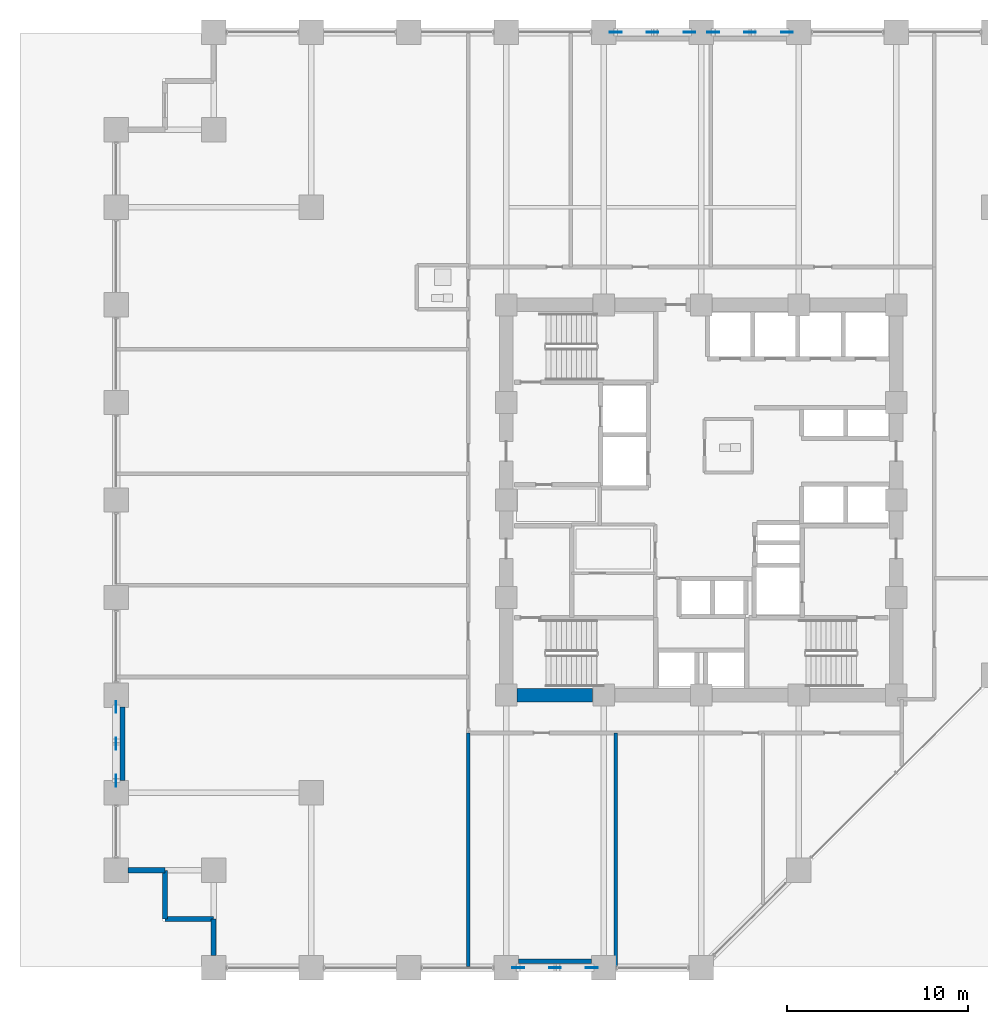
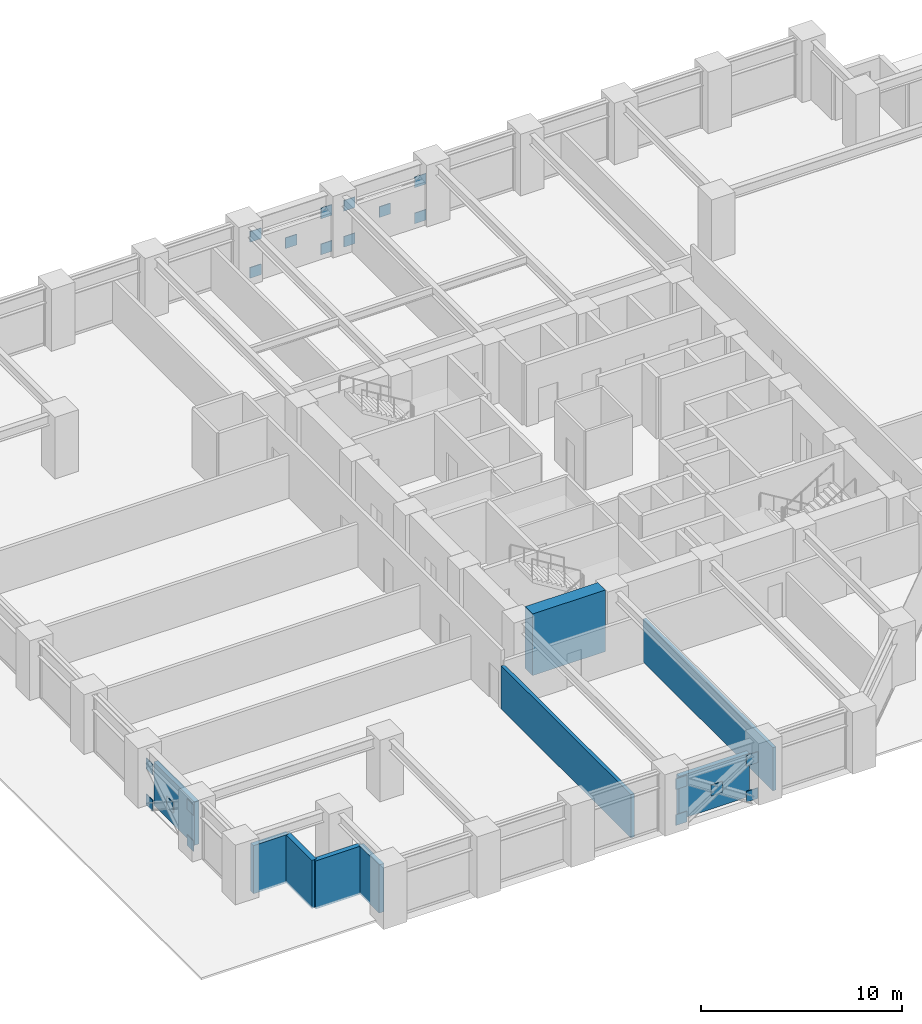
# One storey, part 19 of 27: 20 plates, 9 walls.
"""IFC4 building model written with IfcOpenShell, lengths in metres."""

from ifc_helpers import new_model, si_unit, direction, frame, frame_2d, origin, origin_2d, place, context, subcontext, project, spatial, rectangle, extrude, material, layer, layer_set, type_object, element, save


model = new_model("IFC4")

# Units and contexts
model_context = context("Model", 3, precision=1e-05, world=origin(), true_north=direction((0.0, 1.0)))
body_context = subcontext(model_context, "Body", "Model", "MODEL_VIEW")
ifc_project = project(units=[si_unit("LENGTHUNIT", "METRE"), si_unit("AREAUNIT", "SQUARE_METRE"), si_unit("VOLUMEUNIT", "CUBIC_METRE"), si_unit("PLANEANGLEUNIT", "RADIAN"), si_unit("MASSUNIT", "GRAM", prefix="KILO")], contexts=[model_context])

# Site, building, storey
site_placement = place(None, origin())
site = spatial("IfcSite", under=ifc_project, at=site_placement, CompositionType="ELEMENT")
building_placement = place(site_placement, origin())
building = spatial("IfcBuilding", under=site, at=building_placement, Name="Surkhivell Harbour Commons", CompositionType="ELEMENT")
storey_placement = place(building_placement, frame((0.0, 0.0, 22.5)))
storey = spatial("IfcBuildingStorey", under=building, at=storey_placement, Name="L05", CompositionType="ELEMENT", Elevation=22.5)

# Plates
ifc_material_1 = material(Name="Steel S460", Category="steel")
ifc_layer_1 = layer(ifc_material_1, 0.044921875)
ifc_layer_set_1 = layer_set([ifc_layer_1], Name="Steel S460")
plate_type = type_object("IfcPlateType", Name="PLT-GUS-650", PredefinedType="USERDEFINED", material=ifc_layer_set_1)
for number, where, z_axis, x_axis, name in (
    (1, (-4.739990234375, 25.89990234375, -0.08935546875), (0.0, 0.0, 1.0), (1.0, 0.0, 0.0), "L05 Perimeter Mega-Brace MB- Corner Gusset N-1"),
    (2, (-0.659912109375, 25.89990234375, -0.08935546875), (0.0, 0.0, 1.0), (1.0, 0.0, 0.0), "L05 Perimeter Mega-Brace MB- Corner Gusset N-2"),
    (3, (-4.739990234375, 25.89990234375, 2.1005859375), (0.0, 0.0, 1.0), (1.0, 0.0, 0.0), "L05 Perimeter Mega-Brace MB- Corner Gusset N-3"),
    (4, (-0.659912109375, 25.89990234375, 2.1005859375), (0.0, 0.0, 1.0), (1.0, 0.0, 0.0), "L05 Perimeter Mega-Brace MB- Corner Gusset N-4"),
    (5, (-2.699951171875, 25.89990234375, 1.005615234375), (0.0, 0.0, 1.0), (1.0, 0.0, 0.0), "L05 Perimeter Mega-Brace MB- Central Crossing Gusset N"),
    (6, (0.659912109375, 25.89990234375, -0.08935546875), (0.0, 0.0, 1.0), (1.0, 0.0, 0.0), "L05 Perimeter Mega-Brace MB- Corner Gusset N2-1"),
    (7, (4.739990234375, 25.89990234375, -0.08935546875), (0.0, 0.0, 1.0), (1.0, 0.0, 0.0), "L05 Perimeter Mega-Brace MB- Corner Gusset N2-2"),
    (8, (0.659912109375, 25.89990234375, 2.1005859375), (0.0, 0.0, 1.0), (1.0, 0.0, 0.0), "L05 Perimeter Mega-Brace MB- Corner Gusset N2-3"),
    (9, (4.739990234375, 25.89990234375, 2.1005859375), (0.0, 0.0, 1.0), (1.0, 0.0, 0.0), "L05 Perimeter Mega-Brace MB- Corner Gusset N2-4"),
    (10, (2.699951171875, 25.89990234375, 1.005615234375), (0.0, 0.0, 1.0), (1.0, 0.0, 0.0), "L05 Perimeter Mega-Brace MB- Central Crossing Gusset N2"),
    (11, (-10.139892578125, -25.89990234375, -0.08935546875), (0.0, 0.0, 1.0), (1.0, 0.0, 0.0), "L05 Perimeter Mega-Brace MB- Corner Gusset S-1"),
    (12, (-6.06005859375, -25.89990234375, -0.08935546875), (0.0, 0.0, 1.0), (1.0, 0.0, 0.0), "L05 Perimeter Mega-Brace MB- Corner Gusset S-2"),
    (13, (-10.139892578125, -25.89990234375, 2.1005859375), (0.0, 0.0, 1.0), (1.0, 0.0, 0.0), "L05 Perimeter Mega-Brace MB- Corner Gusset S-3"),
    (14, (-6.06005859375, -25.89990234375, 2.1005859375), (0.0, 0.0, 1.0), (1.0, 0.0, 0.0), "L05 Perimeter Mega-Brace MB- Corner Gusset S-4"),
    (15, (-8.10009765625, -25.89990234375, 1.005615234375), (0.0, 0.0, 1.0), (1.0, 0.0, 0.0), "L05 Perimeter Mega-Brace MB- Central Crossing Gusset S"),
    (16, (-32.39990234375, -15.5400390625, -0.08935546875), (0.0, 0.0, 1.0), (0.0, 1.0, 0.0), "L05 Perimeter Mega-Brace MB- Corner Gusset W-1"),
    (17, (-32.39990234375, -11.4599609375, -0.08935546875), (0.0, 0.0, 1.0), (0.0, 1.0, 0.0), "L05 Perimeter Mega-Brace MB- Corner Gusset W-2"),
    (18, (-32.39990234375, -15.5400390625, 2.1005859375), (0.0, 0.0, 1.0), (0.0, 1.0, 0.0), "L05 Perimeter Mega-Brace MB- Corner Gusset W-3"),
    (19, (-32.39990234375, -11.4599609375, 2.1005859375), (0.0, 0.0, 1.0), (0.0, 1.0, 0.0), "L05 Perimeter Mega-Brace MB- Corner Gusset W-4"),
    (20, (-32.39990234375, -13.5, 1.005615234375), (0.0, 0.0, 1.0), (0.0, 1.0, 0.0), "L05 Perimeter Mega-Brace MB- Central Crossing Gusset W"),
):
    element("IfcPlate", number, at=place(storey_placement, frame(where, z_axis=z_axis, x_axis=x_axis)), inside=storey, type_object=plate_type, Name=name, ObjectType="GUSSET_PLATE", PredefinedType="USERDEFINED", context=body_context, shape_type="SweptSolid", body=[
        extrude(rectangle(XDim=0.64990234375, YDim=0.044921875, at=origin_2d()), origin(), (0.0, 0.0, 1.0), 0.64990234375),
    ])

# Walls
ifc_material_2 = material(Name="Concrete C60/75", Category="concrete")
ifc_layer_2 = layer(ifc_material_2, 0.75)
ifc_layer_set_2 = layer_set([ifc_layer_2], Name="Concrete C60/75")
wall_type_1 = type_object("IfcWallType", Name="WAL-CORE-750", PredefinedType="SHEAR", material=ifc_layer_set_2)
wall_1_placement = place(storey_placement, frame((-10.18994140625, -10.800048828125, 0.0), z_axis=(0.0, 0.0, 1.0), x_axis=(1.0, 0.0, 0.0)))
element("IfcWall", 21, at=wall_1_placement, inside=storey, type_object=wall_type_1, Name="L05 Core Shear Wall South 1", PredefinedType="SHEAR", context=body_context, shape_type="SweptSolid", body=[
    extrude(rectangle(XDim=4.179931640625, YDim=0.75, at=frame_2d((2.08984375, 0.0))), origin(), (0.0, 0.0, 1.0), 3.75),
])
ifc_material_3 = material(Name="Pale-metal insulated precast concrete C45/55", Category="concrete")
ifc_layer_3 = layer(ifc_material_3, 0.260009765625)
ifc_layer_set_3 = layer_set([ifc_layer_3], Name="Pale-metal insulated precast concrete C45/55")
wall_type_2 = type_object("IfcWallType", Name="WAL-EXT-MTL260", PredefinedType="STANDARD", material=ifc_layer_set_3)
wall_2_placement = place(storey_placement, frame((-10.126953125, -25.5400390625, 0.0), z_axis=(0.0, 0.0, 1.0), x_axis=(1.0, 0.0, 0.0)))
element("IfcWall", 22, at=wall_2_placement, inside=storey, type_object=wall_type_2, Name="L05 Braced-Bay Insulated Spandrel Backing S", PredefinedType="STANDARD", context=body_context, shape_type="SweptSolid", body=[
    extrude(rectangle(XDim=4.053955078125, YDim=0.260009765625, at=frame_2d((2.02685546875, 0.0))), origin(), (0.0, 0.0, 1.0), 2.62890625),
])
wall_3_placement = place(storey_placement, frame((-32.0400390625, -11.472900390625, 0.0), z_axis=(0.0, 0.0, 1.0), x_axis=(0.0, -1.0, 0.0)))
element("IfcWall", 23, at=wall_3_placement, inside=storey, type_object=wall_type_2, Name="L05 Braced-Bay Insulated Spandrel Backing W", PredefinedType="STANDARD", context=body_context, shape_type="SweptSolid", body=[
    extrude(rectangle(XDim=4.05419921875, YDim=0.260009765625, at=frame_2d((2.027099609375, 0.0))), origin(), (0.0, 0.0, 1.0), 2.62890625),
])
ifc_material_4 = material(Name="Terracotta-clad reinforced concrete C45/55", Category="masonry")
ifc_layer_4 = layer(ifc_material_4, 0.280029296875)
ifc_layer_set_4 = layer_set([ifc_layer_4], Name="Terracotta-clad reinforced concrete C45/55")
wall_type_3 = type_object("IfcWallType", Name="WAL-EXT-TER280", PredefinedType="STANDARD", material=ifc_layer_set_4)
wall_4_placement = place(storey_placement, frame((-31.72705078125, -20.5, 0.0), z_axis=(0.0, 0.0, 1.0), x_axis=(1.0, 0.0, 0.0)))
element("IfcWall", 24, at=wall_4_placement, inside=storey, type_object=wall_type_3, Name="L05 Serrated Corner Facade Wall 13", PredefinedType="STANDARD", context=body_context, shape_type="SweptSolid", body=[
    extrude(rectangle(XDim=2.027099609375, YDim=0.280029296875, at=frame_2d((1.013671875, 0.0))), origin(), (0.0, 0.0, 1.0), 2.929931640625),
])
for number, where, z_axis, x_axis, name in (
    (25, (-29.699951171875, -20.5, 0.0), (0.0, 0.0, 1.0), (0.0, -1.0, 0.0), "L05 Serrated Corner Facade Wall 14"),
    (26, (-29.699951171875, -23.199951171875, 0.0), (0.0, 0.0, 1.0), (1.0, 0.0, 0.0), "L05 Serrated Corner Facade Wall 15"),
):
    element("IfcWall", number, at=place(storey_placement, frame(where, z_axis=z_axis, x_axis=x_axis)), inside=storey, type_object=wall_type_3, Name=name, PredefinedType="STANDARD", context=body_context, shape_type="SweptSolid", body=[
        extrude(rectangle(XDim=2.699951171875, YDim=0.280029296875, at=frame_2d((1.35009765625, 0.0))), origin(), (0.0, 0.0, 1.0), 2.929931640625),
    ])
wall_5_placement = place(storey_placement, frame((-27.0, -23.199951171875, 0.0), z_axis=(0.0, 0.0, 1.0), x_axis=(0.0, -1.0, 0.0)))
element("IfcWall", 27, at=wall_5_placement, inside=storey, type_object=wall_type_3, Name="L05 Serrated Corner Facade Wall 16", PredefinedType="STANDARD", context=body_context, shape_type="SweptSolid", body=[
    extrude(rectangle(XDim=2.027099609375, YDim=0.280029296875, at=frame_2d((1.013671875, 0.0))), origin(), (0.0, 0.0, 1.0), 2.929931640625),
])
ifc_material_5 = material(Name="High-density acoustic blockwork fire partition", Category="masonry")
ifc_layer_5 = layer(ifc_material_5, 0.175048828125)
ifc_layer_set_5 = layer_set([ifc_layer_5], Name="High-density acoustic blockwork fire partition")
wall_type_4 = type_object("IfcWallType", Name="WAL-INT-175", PredefinedType="PARTITIONING", material=ifc_layer_set_5)
wall_6_placement = place(storey_placement, frame((-4.739990234375, -25.840087890625, 0.0), z_axis=(0.0, 0.0, 1.0), x_axis=(0.0, 1.0, 0.0)))
element("IfcWall", 28, at=wall_6_placement, inside=storey, type_object=wall_type_4, Name="L05 South Partition P1", PredefinedType="PARTITIONING", context=body_context, shape_type="SweptSolid", body=[
    extrude(rectangle(XDim=12.940185546875, YDim=0.175048828125, at=frame_2d((6.47021484375, 0.0))), origin(), (0.0, 0.0, 1.0), 2.62890625),
])
ifc_material_6 = material(Name="Autoclaved aerated concrete blockwork and fire plaster", Category="masonry")
ifc_layer_6 = layer(ifc_material_6, 0.199951171875)
ifc_layer_set_6 = layer_set([ifc_layer_6], Name="Autoclaved aerated concrete blockwork and fire plaster")
wall_type_5 = type_object("IfcWallType", Name="WAL-INT-200", PredefinedType="PARTITIONING", material=ifc_layer_set_6)
wall_7_placement = place(storey_placement, frame((-12.89990234375, -25.840087890625, 0.0), z_axis=(0.0, 0.0, 1.0), x_axis=(0.0, 1.0, 0.0)))
element("IfcWall", 29, at=wall_7_placement, inside=storey, type_object=wall_type_5, Name="L05 South-West Wing Corner Divider", PredefinedType="PARTITIONING", context=body_context, shape_type="SweptSolid", body=[
    extrude(rectangle(XDim=12.940185546875, YDim=0.199951171875, at=frame_2d((6.47021484375, 0.0))), origin(), (0.0, 0.0, 1.0), 2.62890625),
])

save(model, "model.ifc")
